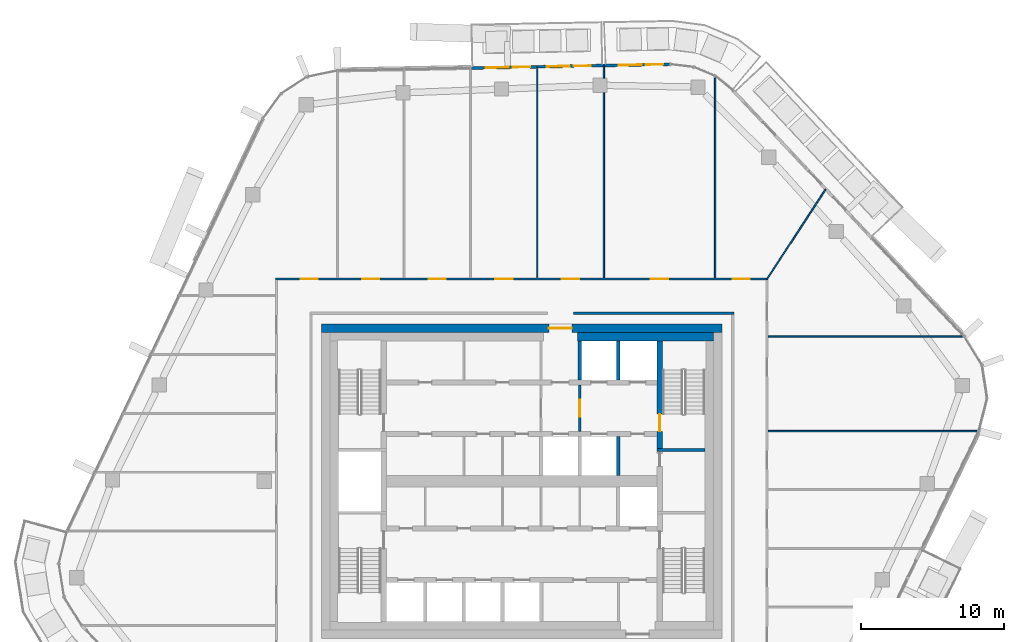
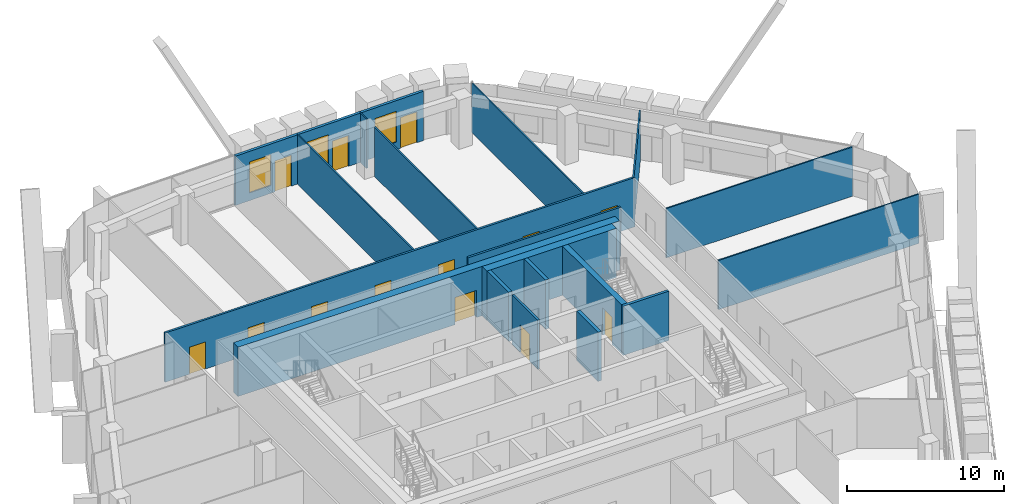
# One storey, part 16 of 24: 19 walls, 13 doors, 3 windows, 16 openings.
"""IFC4 building model written with IfcOpenShell, lengths in metres."""

from ifc_helpers import new_model, si_unit, direction, frame, frame_2d, origin, place, context, subcontext, project, spatial, rectangle, extrude, material, layer, layer_set, type_object, element, fill, save


model = new_model("IFC4")

# Units and contexts
model_context = context("Model", 3, precision=1e-05, world=origin(), true_north=direction((0.0, 1.0)))
body_context = subcontext(model_context, "Body", "Model", "MODEL_VIEW")
ifc_project = project(units=[si_unit("LENGTHUNIT", "METRE"), si_unit("AREAUNIT", "SQUARE_METRE"), si_unit("VOLUMEUNIT", "CUBIC_METRE"), si_unit("PLANEANGLEUNIT", "RADIAN"), si_unit("MASSUNIT", "GRAM", prefix="KILO")], contexts=[model_context])

# Site, building, storey
site_placement = place(None, origin())
site = spatial("IfcSite", under=ifc_project, at=site_placement, CompositionType="ELEMENT")
building_placement = place(site_placement, origin())
building = spatial("IfcBuilding", under=site, at=building_placement, Name="Dongbaek Canopy Tower", CompositionType="ELEMENT")
storey_placement = place(building_placement, frame((0.0, 0.0, 298.39990234375)))
storey = spatial("IfcBuildingStorey", under=building, at=storey_placement, Name="L63", CompositionType="ELEMENT", Elevation=298.39990234375)

# Wall, opening, door
ifc_material_1 = material(Name="Concrete C80/95", Category="concrete")
ifc_layer_1 = layer(ifc_material_1, 0.60009765625)
ifc_layer_set_1 = layer_set([ifc_layer_1], Name="Core outer wall 600 Concrete C80/95")
wall_type_1 = type_object("IfcWallType", Name="Core outer wall 600 Concrete C80/95", PredefinedType="SHEAR", material=ifc_layer_set_1)
wall_1_placement = place(storey_placement, frame((-14.0, 10.699951171875, 0.0), z_axis=(0.0, 0.0, 1.0), x_axis=(1.0, 0.0, 0.0)))
wall_1 = element("IfcWall", 1, at=wall_1_placement, inside=storey, type_object=wall_type_1, Name="Core wall", PredefinedType="SHEAR", context=body_context, shape_type="SweptSolid", body=[
    extrude(rectangle(XDim=28.0, YDim=0.60009765625, at=frame_2d((14.0, 0.0))), origin(), (0.0, 0.0, 1.0), 3.820068359375),
])
opening_1_placement = place(wall_1_placement, frame((15.89990234375, 0.0, 0.0)))
opening_1 = element("IfcOpeningElement", 2, at=opening_1_placement, cuts=wall_1, Name="Opening L63-D027", PredefinedType="OPENING", context=body_context, shape_type="SweptSolid", body=[
    extrude(rectangle(XDim=1.60009765625, YDim=2.10009765625, at=frame_2d((0.800048828125, 1.050048828125))), frame((0.0, 0.31005859375, 0.0), z_axis=(0.0, -1.0, 0.0), x_axis=(1.0, 0.0, 0.0)), (0.0, 0.0, 1.0), 0.6201171875),
])
ifc_material_2 = material(Name="Steel", Category="steel")
door_type_1 = type_object("IfcDoorType", Name="Core exit door 1600 x 2100", OperationType="DOUBLE_DOOR_SINGLE_SWING", PredefinedType="DOOR", material=ifc_material_2)
door_1_placement = place(opening_1_placement, origin())
door_1 = element("IfcDoor", 3, at=door_1_placement, inside=storey, type_object=door_type_1, Name="Core exit door", OperationType="DOUBLE_DOOR_SINGLE_SWING", OverallHeight=2.10009765625, OverallWidth=1.60009765625, PredefinedType="DOOR", context=body_context, shape_type="SweptSolid", body=[
    extrude(rectangle(XDim=1.60009765625, YDim=2.10009765625, at=frame_2d((0.800048828125, 1.050048828125))), frame((0.0, 0.02490234375, 0.0), z_axis=(0.0, -1.0, 0.0), x_axis=(1.0, 0.0, 0.0)), (0.0, 0.0, 1.0), 0.050048828125),
])
fill(opening_1, door_1)

# Walls
ifc_material_3 = material(Name="Concrete C60/75", Category="concrete")
ifc_layer_2 = layer(ifc_material_3, 0.60009765625)
ifc_layer_set_2 = layer_set([ifc_layer_2], Name="Core wall lining 600 Concrete C60/75")
wall_type_2 = type_object("IfcWallType", Name="Core wall lining 600 Concrete C60/75", PredefinedType="SHEAR", material=ifc_layer_set_2)
wall_2_placement = place(storey_placement, frame((3.89990234375, 10.10009765625, 0.0), z_axis=(0.0, 0.0, 1.0), x_axis=(1.0, 0.0, 0.0)))
element("IfcWall", 4, at=wall_2_placement, inside=storey, type_object=wall_type_2, Name="Core wall lining", PredefinedType="SHEAR", context=body_context, shape_type="SweptSolid", body=[
    extrude(rectangle(XDim=9.5, YDim=0.60009765625, at=frame_2d((4.75, 0.0))), origin(), (0.0, 0.0, 1.0), 3.820068359375),
])
ifc_material_4 = material(Name="Gypsum board partition, steel stud, 2 x 15 mm fire board", Category="steel")
ifc_layer_3 = layer(ifc_material_4, 0.14990234375)
ifc_layer_set_3 = layer_set([ifc_layer_3], Name="Fire-rated partition 150 gypsum board")
wall_type_3 = type_object("IfcWallType", Name="Fire-rated partition 150 gypsum board", PredefinedType="PARTITIONING", material=ifc_layer_set_3)
wall_3_placement = place(storey_placement, frame((3.60009765625, 11.75, 0.0), z_axis=(0.0, 0.0, 1.0), x_axis=(1.0, 0.0, 0.0)))
element("IfcWall", 5, at=wall_3_placement, inside=storey, type_object=wall_type_3, Name="Corridor partition", PredefinedType="PARTITIONING", context=body_context, shape_type="SweptSolid", body=[
    extrude(rectangle(XDim=11.224853515625, YDim=0.14990234375, at=frame_2d((5.6123046875, 0.0))), origin(), (0.0, 0.0, 1.0), 3.820068359375),
])

# Wall, openings, doors
wall_4_placement = place(storey_placement, frame((-17.22509765625, 14.14990234375, 0.0), z_axis=(0.0, 0.0, 1.0), x_axis=(1.0, 0.0, 0.0)))
wall_4 = element("IfcWall", 6, at=wall_4_placement, inside=storey, type_object=wall_type_3, Name="Corridor partition", PredefinedType="PARTITIONING", context=body_context, shape_type="SweptSolid", body=[
    extrude(rectangle(XDim=34.4501953125, YDim=0.14990234375, at=frame_2d((17.22509765625, 0.0))), origin(), (0.0, 0.0, 1.0), 3.820068359375),
])
opening_2_placement = place(wall_4_placement, frame((31.9619140625, 0.0, 0.0)))
opening_2 = element("IfcOpeningElement", 7, at=opening_2_placement, cuts=wall_4, Name="Opening L63-D016", PredefinedType="OPENING", context=body_context, shape_type="SweptSolid", body=[
    extrude(rectangle(XDim=1.199951171875, YDim=2.10009765625, at=frame_2d((0.60009765625, 1.050048828125))), frame((0.0, 0.0849609375, 0.0), z_axis=(0.0, -1.0, 0.0), x_axis=(1.0, 0.0, 0.0)), (0.0, 0.0, 1.0), 0.169921875),
])
opening_3_placement = place(wall_4_placement, frame((26.25439453125, 0.0, 0.0)))
opening_3 = element("IfcOpeningElement", 8, at=opening_3_placement, cuts=wall_4, Name="Opening L63-D017", PredefinedType="OPENING", context=body_context, shape_type="SweptSolid", body=[
    extrude(rectangle(XDim=1.199951171875, YDim=2.10009765625, at=frame_2d((0.60009765625, 1.050048828125))), frame((0.0, 0.0849609375, 0.0), z_axis=(0.0, -1.0, 0.0), x_axis=(1.0, 0.0, 0.0)), (0.0, 0.0, 1.0), 0.169921875),
])
opening_4_placement = place(wall_4_placement, frame((20.032470703125, 0.0, 0.0)))
opening_4 = element("IfcOpeningElement", 9, at=opening_4_placement, cuts=wall_4, Name="Opening L63-D018", PredefinedType="OPENING", context=body_context, shape_type="SweptSolid", body=[
    extrude(rectangle(XDim=1.199951171875, YDim=2.10009765625, at=frame_2d((0.60009765625, 1.050048828125))), frame((0.0, 0.0849609375, 0.0), z_axis=(0.0, -1.0, 0.0), x_axis=(1.0, 0.0, 0.0)), (0.0, 0.0, 1.0), 0.169921875),
])
opening_5_placement = place(wall_4_placement, frame((15.377685546875, 0.0, 0.0)))
opening_5 = element("IfcOpeningElement", 10, at=opening_5_placement, cuts=wall_4, Name="Opening L63-D019", PredefinedType="OPENING", context=body_context, shape_type="SweptSolid", body=[
    extrude(rectangle(XDim=1.199951171875, YDim=2.10009765625, at=frame_2d((0.60009765625, 1.050048828125))), frame((0.0, 0.0849609375, 0.0), z_axis=(0.0, -1.0, 0.0), x_axis=(1.0, 0.0, 0.0)), (0.0, 0.0, 1.0), 0.169921875),
])
opening_6_placement = place(wall_4_placement, frame((10.72265625, 0.0, 0.0)))
opening_6 = element("IfcOpeningElement", 11, at=opening_6_placement, cuts=wall_4, Name="Opening L63-D020", PredefinedType="OPENING", context=body_context, shape_type="SweptSolid", body=[
    extrude(rectangle(XDim=1.199951171875, YDim=2.10009765625, at=frame_2d((0.60009765625, 1.050048828125))), frame((0.0, 0.0849609375, 0.0), z_axis=(0.0, -1.0, 0.0), x_axis=(1.0, 0.0, 0.0)), (0.0, 0.0, 1.0), 0.169921875),
])
opening_7_placement = place(wall_4_placement, frame((6.072509765625, 0.0, 0.0)))
opening_7 = element("IfcOpeningElement", 12, at=opening_7_placement, cuts=wall_4, Name="Opening L63-D021", PredefinedType="OPENING", context=body_context, shape_type="SweptSolid", body=[
    extrude(rectangle(XDim=1.199951171875, YDim=2.10009765625, at=frame_2d((0.60009765625, 1.050048828125))), frame((0.0, 0.0849609375, 0.0), z_axis=(0.0, -1.0, 0.0), x_axis=(1.0, 0.0, 0.0)), (0.0, 0.0, 1.0), 0.169921875),
])
opening_8_placement = place(wall_4_placement, frame((1.773681640625, 0.0, 0.0)))
opening_8 = element("IfcOpeningElement", 13, at=opening_8_placement, cuts=wall_4, Name="Opening L63-D022", PredefinedType="OPENING", context=body_context, shape_type="SweptSolid", body=[
    extrude(rectangle(XDim=1.199951171875, YDim=2.10009765625, at=frame_2d((0.60009765625, 1.050048828125))), frame((0.0, 0.0849609375, 0.0), z_axis=(0.0, -1.0, 0.0), x_axis=(1.0, 0.0, 0.0)), (0.0, 0.0, 1.0), 0.169921875),
])
ifc_material_5 = material(Name="Timber veneered door leaf", Category="wood")
door_type_2 = type_object("IfcDoorType", Name="Room door 1200 x 2100", OperationType="SINGLE_SWING_LEFT", PredefinedType="DOOR", material=ifc_material_5)
door_2_placement = place(opening_2_placement, origin())
door_2 = element("IfcDoor", 14, at=door_2_placement, inside=storey, type_object=door_type_2, Name="Door L63-D016", OperationType="SINGLE_SWING_LEFT", OverallHeight=2.10009765625, OverallWidth=1.199951171875, PredefinedType="DOOR", context=body_context, shape_type="SweptSolid", body=[
    extrude(rectangle(XDim=1.199951171875, YDim=2.10009765625, at=frame_2d((0.60009765625, 1.050048828125))), frame((0.0, 0.02490234375, 0.0), z_axis=(0.0, -1.0, 0.0), x_axis=(1.0, 0.0, 0.0)), (0.0, 0.0, 1.0), 0.050048828125),
])
fill(opening_2, door_2)
door_3_placement = place(opening_3_placement, origin())
door_3 = element("IfcDoor", 15, at=door_3_placement, inside=storey, type_object=door_type_2, Name="Door L63-D017", OperationType="SINGLE_SWING_RIGHT", OverallHeight=2.10009765625, OverallWidth=1.199951171875, PredefinedType="DOOR", context=body_context, shape_type="SweptSolid", body=[
    extrude(rectangle(XDim=1.199951171875, YDim=2.10009765625, at=frame_2d((0.60009765625, 1.050048828125))), frame((0.0, 0.02490234375, 0.0), z_axis=(0.0, -1.0, 0.0), x_axis=(1.0, 0.0, 0.0)), (0.0, 0.0, 1.0), 0.050048828125),
])
fill(opening_3, door_3)
door_4_placement = place(opening_4_placement, origin())
door_4 = element("IfcDoor", 16, at=door_4_placement, inside=storey, type_object=door_type_2, Name="Door L63-D018", OperationType="SINGLE_SWING_LEFT", OverallHeight=2.10009765625, OverallWidth=1.199951171875, PredefinedType="DOOR", context=body_context, shape_type="SweptSolid", body=[
    extrude(rectangle(XDim=1.199951171875, YDim=2.10009765625, at=frame_2d((0.60009765625, 1.050048828125))), frame((0.0, 0.02490234375, 0.0), z_axis=(0.0, -1.0, 0.0), x_axis=(1.0, 0.0, 0.0)), (0.0, 0.0, 1.0), 0.050048828125),
])
fill(opening_4, door_4)
door_5_placement = place(opening_5_placement, origin())
door_5 = element("IfcDoor", 17, at=door_5_placement, inside=storey, type_object=door_type_2, Name="Door L63-D019", OperationType="SINGLE_SWING_RIGHT", OverallHeight=2.10009765625, OverallWidth=1.199951171875, PredefinedType="DOOR", context=body_context, shape_type="SweptSolid", body=[
    extrude(rectangle(XDim=1.199951171875, YDim=2.10009765625, at=frame_2d((0.60009765625, 1.050048828125))), frame((0.0, 0.02490234375, 0.0), z_axis=(0.0, -1.0, 0.0), x_axis=(1.0, 0.0, 0.0)), (0.0, 0.0, 1.0), 0.050048828125),
])
fill(opening_5, door_5)
door_6_placement = place(opening_6_placement, origin())
door_6 = element("IfcDoor", 18, at=door_6_placement, inside=storey, type_object=door_type_2, Name="Door L63-D020", OperationType="SINGLE_SWING_LEFT", OverallHeight=2.10009765625, OverallWidth=1.199951171875, PredefinedType="DOOR", context=body_context, shape_type="SweptSolid", body=[
    extrude(rectangle(XDim=1.199951171875, YDim=2.10009765625, at=frame_2d((0.60009765625, 1.050048828125))), frame((0.0, 0.02490234375, 0.0), z_axis=(0.0, -1.0, 0.0), x_axis=(1.0, 0.0, 0.0)), (0.0, 0.0, 1.0), 0.050048828125),
])
fill(opening_6, door_6)
door_7_placement = place(opening_7_placement, origin())
door_7 = element("IfcDoor", 19, at=door_7_placement, inside=storey, type_object=door_type_2, Name="Door L63-D021", OperationType="SINGLE_SWING_RIGHT", OverallHeight=2.10009765625, OverallWidth=1.199951171875, PredefinedType="DOOR", context=body_context, shape_type="SweptSolid", body=[
    extrude(rectangle(XDim=1.199951171875, YDim=2.10009765625, at=frame_2d((0.60009765625, 1.050048828125))), frame((0.0, 0.02490234375, 0.0), z_axis=(0.0, -1.0, 0.0), x_axis=(1.0, 0.0, 0.0)), (0.0, 0.0, 1.0), 0.050048828125),
])
fill(opening_7, door_7)
door_8_placement = place(opening_8_placement, origin())
door_8 = element("IfcDoor", 20, at=door_8_placement, inside=storey, type_object=door_type_2, Name="Door L63-D022", OperationType="SINGLE_SWING_LEFT", OverallHeight=2.10009765625, OverallWidth=1.199951171875, PredefinedType="DOOR", context=body_context, shape_type="SweptSolid", body=[
    extrude(rectangle(XDim=1.199951171875, YDim=2.10009765625, at=frame_2d((0.60009765625, 1.050048828125))), frame((0.0, 0.02490234375, 0.0), z_axis=(0.0, -1.0, 0.0), x_axis=(1.0, 0.0, 0.0)), (0.0, 0.0, 1.0), 0.050048828125),
])
fill(opening_8, door_8)

# Wall, opening, door
wall_5_placement = place(storey_placement, frame((4.050048828125, 6.72509765625, 0.0), z_axis=(0.0, 0.0, 1.0), x_axis=(0.0, -1.0, 0.0)))
wall_5 = element("IfcWall", 21, at=wall_5_placement, inside=storey, type_object=wall_type_3, Name="Fire lobby partition", PredefinedType="PARTITIONING", context=body_context, shape_type="SweptSolid", body=[
    extrude(rectangle(XDim=3.25, YDim=0.14990234375, at=frame_2d((1.625, 0.0))), origin(), (0.0, 0.0, 1.0), 3.820068359375),
])
opening_9_placement = place(wall_5_placement, frame((1.02490234375, 0.0, 0.0)))
opening_9 = element("IfcOpeningElement", 22, at=opening_9_placement, cuts=wall_5, Name="Opening L63-D057", PredefinedType="OPENING", context=body_context, shape_type="SweptSolid", body=[
    extrude(rectangle(XDim=1.199951171875, YDim=2.10009765625, at=frame_2d((0.60009765625, 1.050048828125))), frame((0.0, 0.0849609375, 0.0), z_axis=(0.0, -1.0, 0.0), x_axis=(1.0, 0.0, 0.0)), (0.0, 0.0, 1.0), 0.169921875),
])
ifc_material_6 = material(Name="Steel", Category="steel")
door_type_3 = type_object("IfcDoorType", Name="Fire lobby door 1200 x 2100", OperationType="SINGLE_SWING_LEFT", PredefinedType="DOOR", material=ifc_material_6)
door_9_placement = place(opening_9_placement, origin())
door_9 = element("IfcDoor", 23, at=door_9_placement, inside=storey, type_object=door_type_3, Name="Door L63-D057", OperationType="SINGLE_SWING_RIGHT", OverallHeight=2.10009765625, OverallWidth=1.199951171875, PredefinedType="DOOR", context=body_context, shape_type="SweptSolid", body=[
    extrude(rectangle(XDim=1.199951171875, YDim=2.10009765625, at=frame_2d((0.60009765625, 1.050048828125))), frame((0.0, 0.02490234375, 0.0), z_axis=(0.0, -1.0, 0.0), x_axis=(1.0, 0.0, 0.0)), (0.0, 0.0, 1.0), 0.050048828125),
])
fill(opening_9, door_9)

# Walls
ifc_material_7 = material(Name="Concrete C40/50", Category="concrete")
ifc_layer_4 = layer(ifc_material_7, 0.25)
ifc_layer_set_4 = layer_set([ifc_layer_4], Name="Lift shaft wall 250 Concrete C40/50")
wall_type_4 = type_object("IfcWallType", Name="Lift shaft wall 250 Concrete C40/50", PredefinedType="SOLIDWALL", material=ifc_layer_set_4)
for number, where, z_axis, x_axis, name in (
    (24, (6.75, 0.39990234375, 0.0), (0.0, 0.0, 1.0), (0.0, 1.0, 0.0), "Lift shaft wall"),
    (25, (6.75, 7.074951171875, 0.0), (0.0, 0.0, 1.0), (0.0, 1.0, 0.0), "Lift shaft wall"),
    (26, (4.050048828125, 7.074951171875, 0.0), (0.0, 0.0, 1.0), (0.0, 1.0, 0.0), "Lift shaft wall"),
):
    element("IfcWall", number, at=place(storey_placement, frame(where, z_axis=z_axis, x_axis=x_axis)), inside=storey, type_object=wall_type_4, Name=name, PredefinedType="SOLIDWALL", context=body_context, shape_type="SweptSolid", body=[
        extrude(rectangle(XDim=2.72509765625, YDim=0.25, at=frame_2d((1.362548828125, 0.0))), origin(), (0.0, 0.0, 1.0), 3.820068359375),
    ])
ifc_material_8 = material(Name="Gypsum board partition, steel stud, 2 x 12.5 mm board", Category="steel")
ifc_layer_5 = layer(ifc_material_8, 0.10009765625)
ifc_layer_set_5 = layer_set([ifc_layer_5], Name="Partition 100 gypsum board")
wall_type_5 = type_object("IfcWallType", Name="Partition 100 gypsum board", PredefinedType="PARTITIONING", material=ifc_layer_set_5)
wall_6_placement = place(storey_placement, frame((17.22509765625, 3.510986328125, 0.0), z_axis=(0.0, 0.0, 1.0), x_axis=(1.0, 0.0, 0.0)))
element("IfcWall", 27, at=wall_6_placement, inside=storey, type_object=wall_type_5, Name="Partition", PredefinedType="PARTITIONING", context=body_context, shape_type="SweptSolid", body=[
    extrude(rectangle(XDim=14.696044921875, YDim=0.10009765625, at=frame_2d((7.34814453125, 0.0))), origin(), (0.0, 0.0, 1.0), 3.820068359375),
])
wall_7_placement = place(storey_placement, frame((17.22509765625, 10.139892578125, 0.0), z_axis=(0.0, 0.0, 1.0), x_axis=(1.0, 0.0, 0.0)))
element("IfcWall", 28, at=wall_7_placement, inside=storey, type_object=wall_type_5, Name="Partition", PredefinedType="PARTITIONING", context=body_context, shape_type="SweptSolid", body=[
    extrude(rectangle(XDim=13.677490234375, YDim=0.10009765625, at=frame_2d((6.8388671875, 0.0))), origin(), (0.0, 0.0, 1.0), 3.820068359375),
])
wall_8_placement = place(storey_placement, frame((17.150390625, 14.14990234375, 0.0), z_axis=(0.0, 0.0, 1.0), x_axis=(0.547120172247, 0.837054070608, 0.0)))
element("IfcWall", 29, at=wall_8_placement, inside=storey, type_object=wall_type_5, Name="Partition", PredefinedType="PARTITIONING", context=body_context, shape_type="SweptSolid", body=[
    extrude(rectangle(XDim=7.485107421875, YDim=0.10009765625, at=frame_2d((3.74267578125, 0.0))), origin(), (0.0, 0.0, 1.0), 3.820068359375),
])
wall_9_placement = place(storey_placement, frame((13.52392578125, 14.22509765625, 0.0), z_axis=(0.0, 0.0, 1.0), x_axis=(0.0, 1.0, 0.0)))
element("IfcWall", 30, at=wall_9_placement, inside=storey, type_object=wall_type_5, Name="Partition", PredefinedType="PARTITIONING", context=body_context, shape_type="SweptSolid", body=[
    extrude(rectangle(XDim=14.076904296875, YDim=0.10009765625, at=frame_2d((7.03857421875, 0.0))), origin(), (0.0, 0.0, 1.0), 3.820068359375),
])
wall_10_placement = place(storey_placement, frame((5.735107421875, 14.22509765625, 0.0), z_axis=(0.0, 0.0, 1.0), x_axis=(0.0, 1.0, 0.0)))
element("IfcWall", 31, at=wall_10_placement, inside=storey, type_object=wall_type_5, Name="Partition", PredefinedType="PARTITIONING", context=body_context, shape_type="SweptSolid", body=[
    extrude(rectangle(XDim=12.966796875, YDim=0.10009765625, at=frame_2d((6.4833984375, 0.0))), origin(), (0.0, 0.0, 1.0), 3.820068359375),
])
wall_11_placement = place(storey_placement, frame((5.735107421875, 28.19189453125, 0.0), z_axis=(0.0, 0.0, 1.0), x_axis=(0.0, 1.0, 0.0)))
element("IfcWall", 32, at=wall_11_placement, inside=storey, type_object=wall_type_5, Name="Partition", PredefinedType="PARTITIONING", context=body_context, shape_type="SweptSolid", body=[
    extrude(rectangle(XDim=0.86083984375, YDim=0.10009765625, at=frame_2d((0.430419921875, 0.0))), origin(), (0.0, 0.0, 1.0), 3.820068359375),
])
wall_12_placement = place(storey_placement, frame((1.080078125, 14.22509765625, 0.0), z_axis=(0.0, 0.0, 1.0), x_axis=(0.0, 1.0, 0.0)))
element("IfcWall", 33, at=wall_12_placement, inside=storey, type_object=wall_type_5, Name="Partition", PredefinedType="PARTITIONING", context=body_context, shape_type="SweptSolid", body=[
    extrude(rectangle(XDim=14.739501953125, YDim=0.10009765625, at=frame_2d((7.36962890625, 0.0))), origin(), (0.0, 0.0, 1.0), 3.820068359375),
])
ifc_material_9 = material(Name="Concrete C60/75", Category="concrete")
ifc_layer_6 = layer(ifc_material_9, 0.199951171875)
ifc_layer_set_6 = layer_set([ifc_layer_6], Name="Riser wall 200 Concrete C60/75")
wall_type_6 = type_object("IfcWallType", Name="Riser wall 200 Concrete C60/75", PredefinedType="SHEAR", material=ifc_layer_set_6)
wall_13_placement = place(storey_placement, frame((9.449951171875, 2.199951171875, 0.0), z_axis=(0.0, 0.0, 1.0), x_axis=(1.0, 0.0, 0.0)))
element("IfcWall", 34, at=wall_13_placement, inside=storey, type_object=wall_type_6, Name="Riser wall", PredefinedType="SHEAR", context=body_context, shape_type="SweptSolid", body=[
    extrude(rectangle(XDim=3.35009765625, YDim=0.199951171875, at=frame_2d((1.675048828125, 0.0))), origin(), (0.0, 0.0, 1.0), 3.820068359375),
])

# Wall, opening, door
ifc_material_10 = material(Name="Concrete C60/75", Category="concrete")
ifc_layer_7 = layer(ifc_material_10, 0.39990234375)
ifc_layer_set_7 = layer_set([ifc_layer_7], Name="Stair wall 400 Concrete C60/75")
wall_type_7 = type_object("IfcWallType", Name="Stair wall 400 Concrete C60/75", PredefinedType="SHEAR", material=ifc_layer_set_7)
wall_14_placement = place(storey_placement, frame((9.64990234375, 9.800048828125, 0.0), z_axis=(0.0, 0.0, 1.0), x_axis=(0.0, -1.0, 0.0)))
wall_14 = element("IfcWall", 35, at=wall_14_placement, inside=storey, type_object=wall_type_7, Name="Stair wall", PredefinedType="SHEAR", context=body_context, shape_type="SweptSolid", body=[
    extrude(rectangle(XDim=7.5, YDim=0.39990234375, at=frame_2d((3.75, 0.0))), origin(), (0.0, 0.0, 1.0), 3.820068359375),
])
opening_10_placement = place(wall_14_placement, frame((5.10009765625, 0.0, 0.0)))
opening_10 = element("IfcOpeningElement", 36, at=opening_10_placement, cuts=wall_14, Name="Opening L63-D052", PredefinedType="OPENING", context=body_context, shape_type="SweptSolid", body=[
    extrude(rectangle(XDim=1.199951171875, YDim=2.10009765625, at=frame_2d((0.60009765625, 1.050048828125))), frame((0.0, 0.2099609375, 0.0), z_axis=(0.0, -1.0, 0.0), x_axis=(1.0, 0.0, 0.0)), (0.0, 0.0, 1.0), 0.419921875),
])
ifc_material_11 = material(Name="Steel", Category="steel")
door_type_4 = type_object("IfcDoorType", Name="Stair door 1200 x 2100", OperationType="SINGLE_SWING_LEFT", PredefinedType="DOOR", material=ifc_material_11)
door_10_placement = place(opening_10_placement, origin())
door_10 = element("IfcDoor", 37, at=door_10_placement, inside=storey, type_object=door_type_4, Name="Stair A door", OperationType="SINGLE_SWING_LEFT", OverallHeight=2.10009765625, OverallWidth=1.199951171875, PredefinedType="DOOR", context=body_context, shape_type="SweptSolid", body=[
    extrude(rectangle(XDim=1.199951171875, YDim=2.10009765625, at=frame_2d((0.60009765625, 1.050048828125))), frame((0.0, 0.02490234375, 0.0), z_axis=(0.0, -1.0, 0.0), x_axis=(1.0, 0.0, 0.0)), (0.0, 0.0, 1.0), 0.050048828125),
])
fill(opening_10, door_10)

# Wall, openings, doors, windows
ifc_material_12 = material(Name="Aluminium window wall", Category="aluminium")
ifc_layer_8 = layer(ifc_material_12, 0.199951171875)
ifc_layer_set_8 = layer_set([ifc_layer_8], Name="Window wall 200")
wall_type_8 = type_object("IfcWallType", Name="Window wall 200", PredefinedType="SOLIDWALL", material=ifc_layer_set_8)
wall_15_placement = place(storey_placement, frame((5.73486328125, 29.07275390625, 0.0), z_axis=(0.0, 0.0, 1.0), x_axis=(-0.999821300983, -0.01890412918, 0.0)))
wall_15 = element("IfcWall", 38, at=wall_15_placement, inside=storey, type_object=wall_type_8, Name="Window wall L63 2", PredefinedType="SOLIDWALL", context=body_context, shape_type="SweptSolid", body=[
    extrude(rectangle(XDim=9.3115234375, YDim=0.199951171875, at=frame_2d((4.65576171875, 0.0))), origin(), (0.0, 0.0, 1.0), 3.820068359375),
])
opening_11_placement = place(wall_15_placement, frame((2.39990234375, 0.0, 0.60009765625)))
opening_11 = element("IfcOpeningElement", 39, at=opening_11_placement, cuts=wall_15, Name="Opening W1", PredefinedType="OPENING", context=body_context, shape_type="SweptSolid", body=[
    extrude(rectangle(XDim=1.60009765625, YDim=2.39990234375, at=frame_2d((0.800048828125, 1.199951171875))), frame((0.0, 0.10986328125, 0.0), z_axis=(0.0, -1.0, 0.0), x_axis=(1.0, 0.0, 0.0)), (0.0, 0.0, 1.0), 0.219970703125),
])
opening_12_placement = place(wall_15_placement, frame((0.89990234375, 0.0, 0.0)))
opening_12 = element("IfcOpeningElement", 40, at=opening_12_placement, cuts=wall_15, Name="Opening L63-B04", PredefinedType="OPENING", context=body_context, shape_type="SweptSolid", body=[
    extrude(rectangle(XDim=1.199951171875, YDim=2.39990234375, at=frame_2d((0.60009765625, 1.199951171875))), frame((0.0, 0.10986328125, 0.0), z_axis=(0.0, -1.0, 0.0), x_axis=(1.0, 0.0, 0.0)), (0.0, 0.0, 1.0), 0.219970703125),
])
opening_13_placement = place(wall_15_placement, frame((6.65576171875, 0.0, 0.60009765625)))
opening_13 = element("IfcOpeningElement", 41, at=opening_13_placement, cuts=wall_15, Name="Opening W1", PredefinedType="OPENING", context=body_context, shape_type="SweptSolid", body=[
    extrude(rectangle(XDim=1.60009765625, YDim=2.39990234375, at=frame_2d((0.800048828125, 1.199951171875))), frame((0.0, 0.10986328125, 0.0), z_axis=(0.0, -1.0, 0.0), x_axis=(1.0, 0.0, 0.0)), (0.0, 0.0, 1.0), 0.219970703125),
])
opening_14_placement = place(wall_15_placement, frame((5.15576171875, 0.0, 0.0)))
opening_14 = element("IfcOpeningElement", 42, at=opening_14_placement, cuts=wall_15, Name="Opening L63-B05", PredefinedType="OPENING", context=body_context, shape_type="SweptSolid", body=[
    extrude(rectangle(XDim=1.199951171875, YDim=2.39990234375, at=frame_2d((0.60009765625, 1.199951171875))), frame((0.0, 0.10986328125, 0.0), z_axis=(0.0, -1.0, 0.0), x_axis=(1.0, 0.0, 0.0)), (0.0, 0.0, 1.0), 0.219970703125),
])
ifc_material_13 = material(Name="Clear glazing in aluminium frame", Category="aluminium")
door_type_5 = type_object("IfcDoorType", Name="Balcony door BD1 1200 x 2400", OperationType="SLIDING_TO_LEFT", PredefinedType="DOOR", material=ifc_material_13)
door_11_placement = place(opening_12_placement, origin())
door_11 = element("IfcDoor", 43, at=door_11_placement, inside=storey, type_object=door_type_5, Name="Balcony door L63-B04", OperationType="SLIDING_TO_LEFT", OverallHeight=2.39990234375, OverallWidth=1.199951171875, PredefinedType="DOOR", context=body_context, shape_type="SweptSolid", body=[
    extrude(rectangle(XDim=1.199951171875, YDim=2.39990234375, at=frame_2d((0.60009765625, 1.199951171875))), frame((0.0, 0.02490234375, 0.0), z_axis=(0.0, -1.0, 0.0), x_axis=(1.0, 0.0, 0.0)), (0.0, 0.0, 1.0), 0.050048828125),
])
fill(opening_12, door_11)
door_12_placement = place(opening_14_placement, origin())
door_12 = element("IfcDoor", 44, at=door_12_placement, inside=storey, type_object=door_type_5, Name="Balcony door L63-B05", OperationType="SLIDING_TO_LEFT", OverallHeight=2.39990234375, OverallWidth=1.199951171875, PredefinedType="DOOR", context=body_context, shape_type="SweptSolid", body=[
    extrude(rectangle(XDim=1.199951171875, YDim=2.39990234375, at=frame_2d((0.60009765625, 1.199951171875))), frame((0.0, 0.02490234375, 0.0), z_axis=(0.0, -1.0, 0.0), x_axis=(1.0, 0.0, 0.0)), (0.0, 0.0, 1.0), 0.050048828125),
])
fill(opening_14, door_12)
ifc_material_14 = material(Name="Clear glazing in aluminium frame", Category="aluminium")
window_type = type_object("IfcWindowType", Name="Window W1 1600 x 2400", PartitioningType="SINGLE_PANEL", PredefinedType="WINDOW", material=ifc_material_14)
window_1_placement = place(opening_11_placement, origin())
window_1 = element("IfcWindow", 45, at=window_1_placement, inside=storey, type_object=window_type, Name="Window L63 2.1", OverallHeight=2.39990234375, OverallWidth=1.60009765625, PartitioningType="SINGLE_PANEL", PredefinedType="WINDOW", context=body_context, shape_type="SweptSolid", body=[
    extrude(rectangle(XDim=1.60009765625, YDim=2.39990234375, at=frame_2d((0.800048828125, 1.199951171875))), frame((0.0, 0.030029296875, 0.0), z_axis=(0.0, -1.0, 0.0), x_axis=(1.0, 0.0, 0.0)), (0.0, 0.0, 1.0), 0.06005859375),
])
fill(opening_11, window_1)
window_2_placement = place(opening_13_placement, origin())
window_2 = element("IfcWindow", 46, at=window_2_placement, inside=storey, type_object=window_type, Name="Window L63 2.2", OverallHeight=2.39990234375, OverallWidth=1.60009765625, PartitioningType="SINGLE_PANEL", PredefinedType="WINDOW", context=body_context, shape_type="SweptSolid", body=[
    extrude(rectangle(XDim=1.60009765625, YDim=2.39990234375, at=frame_2d((0.800048828125, 1.199951171875))), frame((0.0, 0.030029296875, 0.0), z_axis=(0.0, -1.0, 0.0), x_axis=(1.0, 0.0, 0.0)), (0.0, 0.0, 1.0), 0.06005859375),
])
fill(opening_13, window_2)

# Wall, openings, door, window
wall_16_placement = place(storey_placement, frame((10.3828125, 29.16064453125, 0.0), z_axis=(0.0, 0.0, 1.0), x_axis=(-0.999821262404, -0.018906169475, 0.0)))
wall_16 = element("IfcWall", 47, at=wall_16_placement, inside=storey, type_object=wall_type_8, Name="Window wall L63 6", PredefinedType="SOLIDWALL", context=body_context, shape_type="SweptSolid", body=[
    extrude(rectangle(XDim=4.648681640625, YDim=0.199951171875, at=frame_2d((2.32421875, 0.0))), origin(), (0.0, 0.0, 1.0), 3.820068359375),
])
opening_15_placement = place(wall_16_placement, frame((2.0, 0.0, 0.60009765625)))
opening_15 = element("IfcOpeningElement", 48, at=opening_15_placement, cuts=wall_16, Name="Opening W1", PredefinedType="OPENING", context=body_context, shape_type="SweptSolid", body=[
    extrude(rectangle(XDim=1.60009765625, YDim=2.39990234375, at=frame_2d((0.800048828125, 1.199951171875))), frame((0.0, 0.10986328125, 0.0), z_axis=(0.0, -1.0, 0.0), x_axis=(1.0, 0.0, 0.0)), (0.0, 0.0, 1.0), 0.219970703125),
])
opening_16_placement = place(wall_16_placement, frame((0.5, 0.0, 0.0)))
opening_16 = element("IfcOpeningElement", 49, at=opening_16_placement, cuts=wall_16, Name="Opening L63-B06", PredefinedType="OPENING", context=body_context, shape_type="SweptSolid", body=[
    extrude(rectangle(XDim=1.199951171875, YDim=2.39990234375, at=frame_2d((0.60009765625, 1.199951171875))), frame((0.0, 0.10986328125, 0.0), z_axis=(0.0, -1.0, 0.0), x_axis=(1.0, 0.0, 0.0)), (0.0, 0.0, 1.0), 0.219970703125),
])
door_13_placement = place(opening_16_placement, origin())
door_13 = element("IfcDoor", 50, at=door_13_placement, inside=storey, type_object=door_type_5, Name="Balcony door L63-B06", OperationType="SLIDING_TO_LEFT", OverallHeight=2.39990234375, OverallWidth=1.199951171875, PredefinedType="DOOR", context=body_context, shape_type="SweptSolid", body=[
    extrude(rectangle(XDim=1.199951171875, YDim=2.39990234375, at=frame_2d((0.60009765625, 1.199951171875))), frame((0.0, 0.02490234375, 0.0), z_axis=(0.0, -1.0, 0.0), x_axis=(1.0, 0.0, 0.0)), (0.0, 0.0, 1.0), 0.050048828125),
])
fill(opening_16, door_13)
window_3_placement = place(opening_15_placement, origin())
window_3 = element("IfcWindow", 51, at=window_3_placement, inside=storey, type_object=window_type, Name="Window L63 6.1", OverallHeight=2.39990234375, OverallWidth=1.60009765625, PartitioningType="SINGLE_PANEL", PredefinedType="WINDOW", context=body_context, shape_type="SweptSolid", body=[
    extrude(rectangle(XDim=1.60009765625, YDim=2.39990234375, at=frame_2d((0.800048828125, 1.199951171875))), frame((0.0, 0.030029296875, 0.0), z_axis=(0.0, -1.0, 0.0), x_axis=(1.0, 0.0, 0.0)), (0.0, 0.0, 1.0), 0.06005859375),
])
fill(opening_15, window_3)

save(model, "model.ifc")
